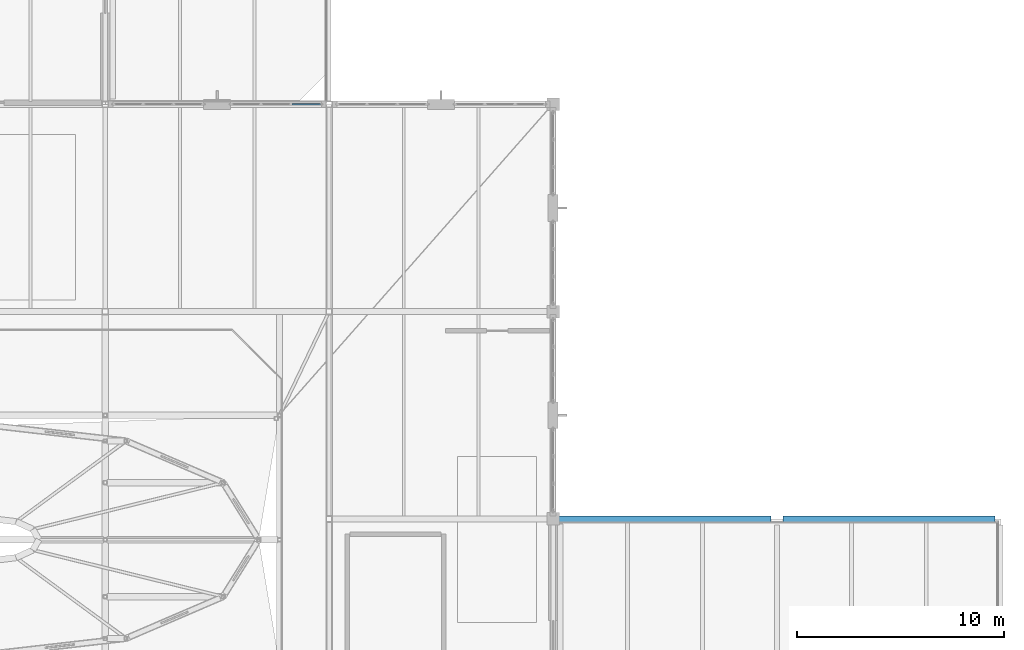
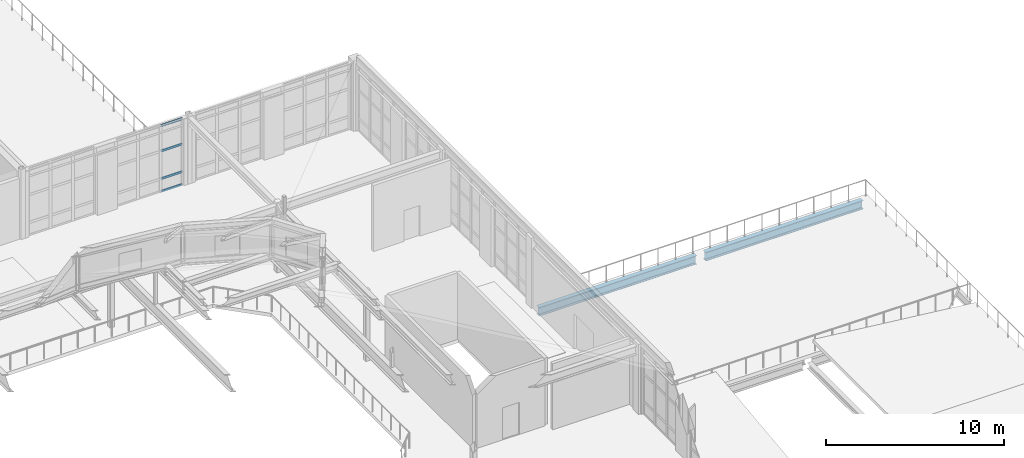
# One storey, part 43 of 86: 4 members, 2 beams, 1 element without a shape of its own.
"""IFC4 building model written with IfcOpenShell, lengths in metres."""

from ifc_helpers import new_model, si_unit, direction, frame, origin, origin_2d, place, context, subcontext, project, spatial, hollow_rectangle, i_section, extrude, material, layer, layer_set, material_profile, profile_set, type_object, element, aggregate, save


model = new_model("IFC4")

# Units and contexts
model_context = context("Model", 3, precision=1e-05, world=origin(), true_north=direction((0.0, 1.0)))
body_context = subcontext(model_context, "Body", "Model", "MODEL_VIEW")
ifc_project = project(units=[si_unit("LENGTHUNIT", "METRE"), si_unit("AREAUNIT", "SQUARE_METRE"), si_unit("VOLUMEUNIT", "CUBIC_METRE"), si_unit("PLANEANGLEUNIT", "RADIAN"), si_unit("MASSUNIT", "GRAM", prefix="KILO")], contexts=[model_context])

# Site, building, storey
site_placement = place(None, origin())
site = spatial("IfcSite", under=ifc_project, at=site_placement, CompositionType="ELEMENT")
building_placement = place(site_placement, origin())
building = spatial("IfcBuilding", under=site, at=building_placement, Name="Tasgan Crest Museum", CompositionType="ELEMENT")
storey_placement = place(building_placement, frame((0.0, 0.0, 24.0)))
storey = spatial("IfcBuildingStorey", under=building, at=storey_placement, Name="L04", CompositionType="ELEMENT", Elevation=24.0)

# Beams
ifc_material_1 = material(Name="Steel S355J2", Category="steel")
ifc_material_profile_1 = material_profile(ifc_material_1, i_section(OverallWidth=0.300048828125, OverallDepth=0.590087890625, WebThickness=0.012939453125, FlangeThickness=0.02490234375, FilletRadius=0.027099609375, at=origin_2d()), Name="HEA 600")
ifc_profile_set_1 = profile_set([ifc_material_profile_1], Name="Steel S355J2")
beam_type = type_object("IfcBeamType", Name="BM-G-HEA600", PredefinedType="BEAM", material=ifc_profile_set_1)
for number, where, z_axis, x_axis, name in (
    (1, (108.2958984375, 62.0, -0.544921875), (1.0, 0.0, 0.0), (0.0, 1.0, 0.0), "Girder L04 G 108.0-118.8"),
    (2, (119.095947265625, 62.0, -0.544921875), (1.0, 0.0, 0.0), (0.0, 1.0, 0.0), "Girder L04 G 118.8-129.6"),
):
    element("IfcBeam", number, at=place(storey_placement, frame(where, z_axis=z_axis, x_axis=x_axis)), inside=storey, type_object=beam_type, Name=name, PredefinedType="BEAM", context=body_context, shape_type="SweptSolid", body=[
        extrude(i_section(OverallWidth=0.300048828125, OverallDepth=0.590087890625, WebThickness=0.012939453125, FlangeThickness=0.02490234375, FilletRadius=0.027099609375, at=origin_2d()), origin(), (0.0, 0.0, 1.0), 10.2080078125),
    ])

# Curtain wall, members
ifc_material_2 = material(Name="Triple-Glazed Aluminium Curtain Wall", Category="aluminium")
ifc_layer = layer(ifc_material_2, 0.179931640625, Name="CW-DRUM-X-48")
ifc_layer_set = layer_set([ifc_layer], Name="Triple-Glazed Aluminium Curtain Wall")
curtain_wall_type = type_object("IfcCurtainWallType", Name="CW-DRUM-X-48", PredefinedType="NOTDEFINED", material=ifc_layer_set)
curtain_wall_placement = place(storey_placement, origin())
curtain_wall = element("IfcCurtainWall", 3, at=curtain_wall_placement, inside=storey, type_object=curtain_wall_type, Name="Curtain wall L04 157", PredefinedType="NOTDEFINED")
ifc_material_3 = material(Name="Anodised Aluminium", Category="aluminium")
ifc_material_profile_2 = material_profile(ifc_material_3, hollow_rectangle(XDim=0.06005859375, YDim=0.14990234375, WallThickness=0.0048828125, at=origin_2d()), Name="ALU TRANSOM 150x60x5")
ifc_profile_set_2 = profile_set([ifc_material_profile_2], Name="Anodised Aluminium")
member_type = type_object("IfcMemberType", Name="CW-TRANSOM-150", PredefinedType="USERDEFINED", material=ifc_profile_set_2)
member_1_placement = place(storey_placement, frame((96.77490234375, 82.0, 0.030029296875), z_axis=(-1.0, 0.0, 0.0), x_axis=(0.0, -1.0, 0.0)))
member_1 = element("IfcMember", 4, at=member_1_placement, type_object=member_type, Name="CW03 transom 1.1", ObjectType="TRANSOM", PredefinedType="USERDEFINED", context=body_context, shape_type="SweptSolid", body=[
    extrude(hollow_rectangle(XDim=0.06005859375, YDim=0.14990234375, WallThickness=0.0048828125, at=origin_2d()), origin(), (0.0, 0.0, 1.0), 1.373291015625),
])
member_2_placement = place(storey_placement, frame((96.77490234375, 82.0, 0.89990234375), z_axis=(-1.0, 0.0, 0.0), x_axis=(0.0, -1.0, 0.0)))
member_2 = element("IfcMember", 5, at=member_2_placement, type_object=member_type, Name="CW03 transom 1.2", ObjectType="TRANSOM", PredefinedType="USERDEFINED", context=body_context, shape_type="SweptSolid", body=[
    extrude(hollow_rectangle(XDim=0.06005859375, YDim=0.14990234375, WallThickness=0.0048828125, at=origin_2d()), origin(), (0.0, 0.0, 1.0), 1.373291015625),
])
member_3_placement = place(storey_placement, frame((96.77490234375, 82.0, 2.800048828125), z_axis=(-1.0, 0.0, 0.0), x_axis=(0.0, -1.0, 0.0)))
member_3 = element("IfcMember", 6, at=member_3_placement, type_object=member_type, Name="CW03 transom 1.3", ObjectType="TRANSOM", PredefinedType="USERDEFINED", context=body_context, shape_type="SweptSolid", body=[
    extrude(hollow_rectangle(XDim=0.06005859375, YDim=0.14990234375, WallThickness=0.0048828125, at=origin_2d()), origin(), (0.0, 0.0, 1.0), 1.373291015625),
])
member_4_placement = place(storey_placement, frame((96.77490234375, 82.0, 4.530029296875), z_axis=(-1.0, 0.0, 0.0), x_axis=(0.0, -1.0, 0.0)))
member_4 = element("IfcMember", 7, at=member_4_placement, type_object=member_type, Name="CW03 transom 1.4", ObjectType="TRANSOM", PredefinedType="USERDEFINED", context=body_context, shape_type="SweptSolid", body=[
    extrude(hollow_rectangle(XDim=0.06005859375, YDim=0.14990234375, WallThickness=0.0048828125, at=origin_2d()), origin(), (0.0, 0.0, 1.0), 1.373291015625),
])
aggregate(curtain_wall, [member_1, member_2, member_3, member_4])

save(model, "model.ifc")
